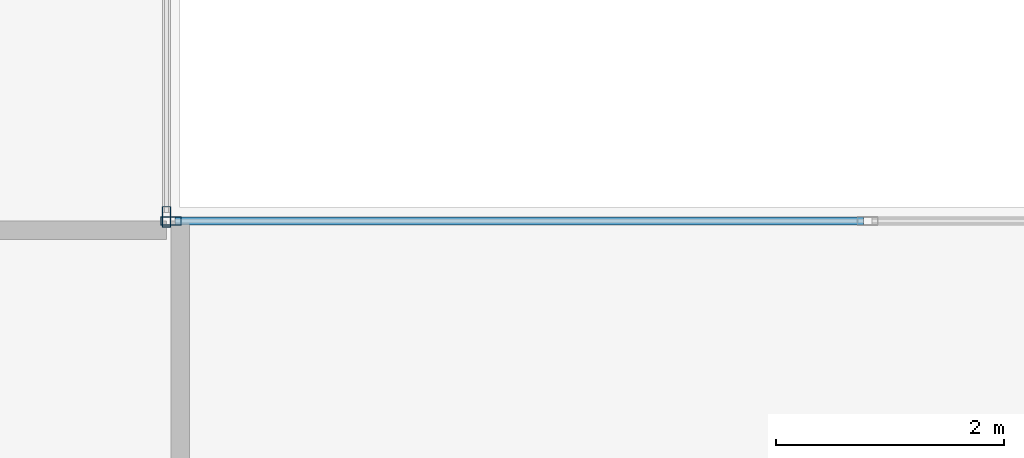
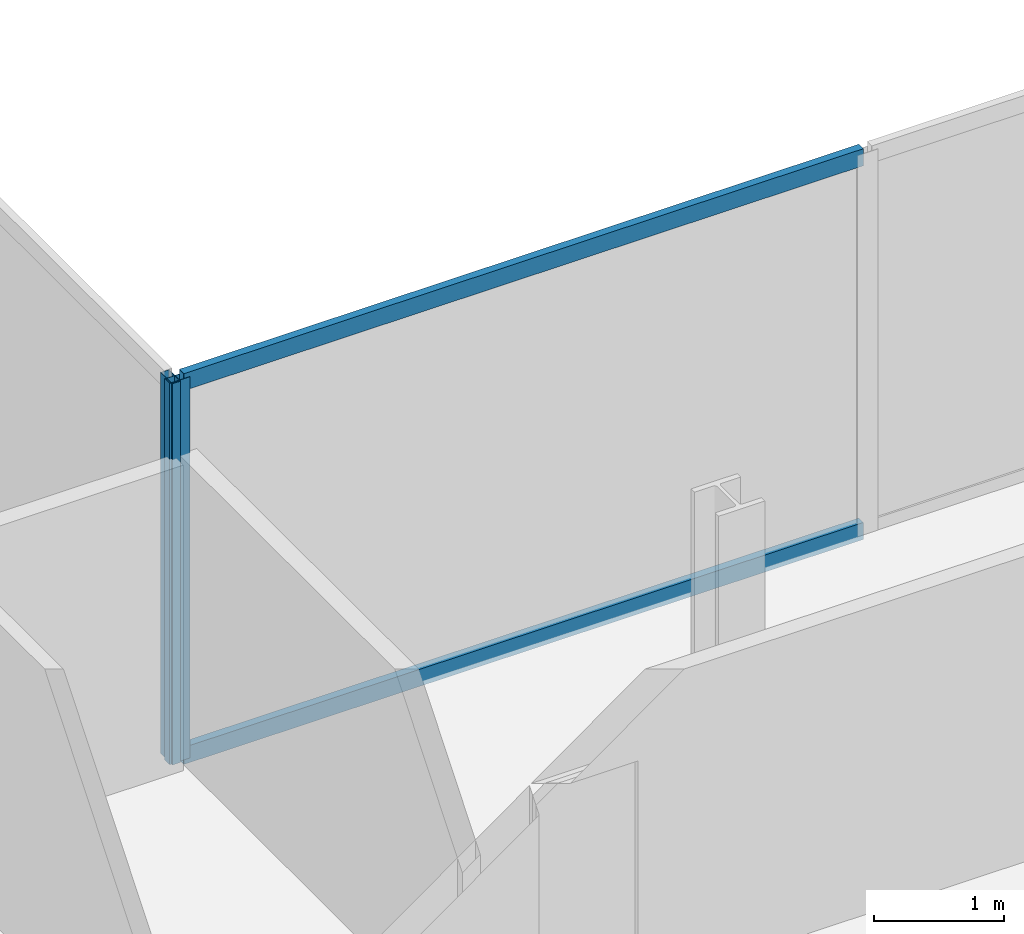
# One storey, part 7 of 24: 4 members, 2 elements without a shape of their own.
"""IFC4 building model written with IfcOpenShell, lengths in metres."""

import ifcopenshell
import ifcopenshell.guid

model = None  # the IFC model being written
_history = None  # IfcOwnerHistory: only IFC2X3 demands one
_inside = {}  # id of a spatial element -> (the spatial element, [elements in it])
_under = {}  # id of a project, library or spatial element -> (it, [spatial elements below it])
_declared = {}  # id of a project -> (the project, [libraries it declares])
_typed = {}  # id of a type object -> (the type object, [elements of that type])
_made_of = {}  # id of a material, layer set ... -> (it, [elements and type objects made of it])


def new_model(schema):
    """Start an empty IFC model of exactly this schema.

    Asked for "IFC4X3", IfcOpenShell would pick the latest addendum, in which some entities
    have other attributes; the version numbers below select the first issue.
    IFC2X3 requires an IfcOwnerHistory on every rooted entity: one is made here for all.
    """
    global model, _history
    if schema == "IFC4X3":
        model = ifcopenshell.file(schema_version=(4, 3, 0, 0))
    else:
        model = ifcopenshell.file(schema=schema)
    _inside.clear()
    _under.clear()
    _declared.clear()
    _typed.clear()
    _made_of.clear()
    _history = None
    if model.schema == "IFC2X3":
        org = make("IfcOrganization", Name="unknown")
        user = make(
            "IfcPersonAndOrganization",
            ThePerson=make("IfcPerson", FamilyName="unknown"),
            TheOrganization=org,
        )
        app = make(
            "IfcApplication",
            ApplicationDeveloper=org,
            Version="unknown",
            ApplicationFullName="unknown",
            ApplicationIdentifier="unknown",
        )
        _history = make(
            "IfcOwnerHistory",
            OwningUser=user,
            OwningApplication=app,
            ChangeAction="ADDED",
            CreationDate=0,
        )
    return model


def make(cls, **values):
    """One entity of the class cls with the attributes given. An attribute that is None is left unset."""
    return model.create_entity(
        cls, **{name: value for name, value in values.items() if value is not None}
    )


def rooted(cls, **values):
    """An entity with a GlobalId (a new one), such as an element, a storey or a relation."""
    return make(cls, GlobalId=ifcopenshell.guid.new(), OwnerHistory=_history, **values)


def si_unit(unit_type, name, prefix=None):
    """IfcSIUnit, for example si_unit("LENGTHUNIT", "METRE", prefix="MILLI")."""
    return make("IfcSIUnit", UnitType=unit_type, Prefix=prefix, Name=name)


def assignment(units):
    """IfcUnitAssignment: the units of a project."""
    return None if units is None else make("IfcUnitAssignment", Units=units)


def point(xyz):
    """IfcCartesianPoint."""
    return None if xyz is None else make("IfcCartesianPoint", Coordinates=xyz)


def direction(xyz):
    """IfcDirection."""
    return None if xyz is None else make("IfcDirection", DirectionRatios=xyz)


def frame(location, z_axis=None, x_axis=None):
    """IfcAxis2Placement3D, a coordinate frame: its origin and axes. An axis left out is left unset."""
    return make(
        "IfcAxis2Placement3D",
        Location=point(location),
        Axis=direction(z_axis),
        RefDirection=direction(x_axis),
    )


def frame_2d(location, x_axis=None):
    """IfcAxis2Placement2D, a coordinate frame in the plane: its origin and x axis."""
    return make(
        "IfcAxis2Placement2D", Location=point(location), RefDirection=direction(x_axis)
    )


def origin():
    """The frame at (0, 0, 0) with its axes left unset."""
    return frame((0.0, 0.0, 0.0))


def origin_2d():
    """The frame at (0, 0) in the plane with its x axis left unset."""
    return frame_2d((0.0, 0.0))


def place(relative_to, where):
    """IfcLocalPlacement: puts the frame where relative to a parent placement (None: the world)."""
    return make(
        "IfcLocalPlacement", PlacementRelTo=relative_to, RelativePlacement=where
    )


def context(
    kind, dimensions, precision=None, world=None, true_north=None, identifier=None
):
    """IfcGeometricRepresentationContext, for example the 3D "Model" context."""
    return make(
        "IfcGeometricRepresentationContext",
        ContextIdentifier=identifier,
        ContextType=kind,
        CoordinateSpaceDimension=dimensions,
        Precision=precision,
        WorldCoordinateSystem=world,
        TrueNorth=true_north,
    )


def subcontext(parent, identifier, kind, view, scale=None):
    """IfcGeometricRepresentationSubContext, for example "Body" below "Model"."""
    return make(
        "IfcGeometricRepresentationSubContext",
        ContextIdentifier=identifier,
        ContextType=kind,
        ParentContext=parent,
        TargetScale=scale,
        TargetView=view,
    )


def project(units=None, contexts=None):
    """IfcProject with its units and contexts."""
    return rooted(
        "IfcProject",
        Name="project",
        RepresentationContexts=contexts,
        UnitsInContext=assignment(units),
    )


def spatial(cls, under=None, at=None, **own):
    """A site, building, storey or space (cls), placed at a placement, below another one or the project."""
    s = rooted(cls, ObjectPlacement=at, **own)
    if under is not None:
        _under.setdefault(under.id(), (under, []))[1].append(s)
    return s


def profile(cls, at=None, kind="AREA", **sizes):
    """A parametric profile (cls). Its sizes go by their IFC names, for example OverallWidth=200.0."""
    return make(cls, ProfileType=kind, Position=at, **sizes)


def hollow_rectangle(**sizes):
    """IfcRectangleHollowProfileDef."""
    return profile("IfcRectangleHollowProfileDef", **sizes)


def extrude(swept, where, along, depth):
    """IfcExtrudedAreaSolid: the profile swept, set in the frame where, extruded along a direction by depth."""
    return make(
        "IfcExtrudedAreaSolid",
        SweptArea=swept,
        Position=where,
        ExtrudedDirection=direction(along),
        Depth=depth,
    )


def shape(context_of_items, identifier, shape_type, items):
    """IfcShapeRepresentation: the items that make up one representation, for example the "Body"."""
    return make(
        "IfcShapeRepresentation",
        ContextOfItems=context_of_items,
        RepresentationIdentifier=identifier,
        RepresentationType=shape_type,
        Items=items,
    )


def material(Name=None, Category=None):
    """IfcMaterial."""
    return make("IfcMaterial", Name=Name, Category=Category)


def material_profile(
    of_material, cross_section, Name=None, Category=None, Priority=None
):
    """IfcMaterialProfile: a cross section and its material."""
    return make(
        "IfcMaterialProfile",
        Name=Name,
        Material=of_material,
        Profile=cross_section,
        Priority=Priority,
        Category=Category,
    )


def profile_set(profiles, Name=None, composite=None):
    """IfcMaterialProfileSet."""
    return make(
        "IfcMaterialProfileSet",
        Name=Name,
        MaterialProfiles=profiles,
        CompositeProfile=composite,
    )


def made_of(thing, what):
    """Note that an element or type object is made of a material, layer set ...; save() writes the relation."""
    if what is not None:
        _made_of.setdefault(what.id(), (what, []))[1].append(thing)
    return thing


def type_object(cls, material=None, **own):
    """A type object (cls), such as IfcWallType, which elements share."""
    return made_of(rooted(cls, **own), material)


def element(
    cls,
    number,
    at=None,
    inside=None,
    cuts=None,
    type_object=None,
    material=None,
    context=None,
    identifier="Body",
    shape_type=None,
    held_by="IfcProductDefinitionShape",
    body=None,
    shapes=None,
    **own,
):
    """One element of the class cls, such as IfcWall. Its Tag is "e" and its number.

    at: its placement. inside: the storey or other place that contains it. cuts: it is an
    opening in that element (IfcRelVoidsElement). A single representation is given by context,
    identifier, shape_type and body (its items); several are given by shapes. held_by: the class
    of the entity that holds the representations. save() writes the other relations.
    """
    e = rooted(cls, Tag="e%d" % number, ObjectPlacement=at, **own)
    if body is not None:
        shapes = [shape(context, identifier, shape_type, body)]
    if shapes is not None:
        e.Representation = make(held_by, Representations=shapes)
    if inside is not None:
        _inside.setdefault(inside.id(), (inside, []))[1].append(e)
    if cuts is not None:
        rooted(
            "IfcRelVoidsElement", RelatingBuildingElement=cuts, RelatedOpeningElement=e
        )
    if type_object is not None:
        _typed.setdefault(type_object.id(), (type_object, []))[1].append(e)
    return made_of(e, material)


def aggregate(whole, parts):
    """IfcRelAggregates: a whole, such as a stair, and the parts it consists of."""
    return rooted("IfcRelAggregates", RelatingObject=whole, RelatedObjects=parts)


def save(model, path):
    """Write the relations noted so far, then the file.

    IfcRelAggregates (storeys below a building ...), IfcRelContainedInSpatialStructure (elements
    in a storey), IfcRelDefinesByType, IfcRelAssociatesMaterial and IfcRelDeclares: one each for
    every whole, place, type object, material and project.
    """
    for whole, parts in _under.values():
        aggregate(whole, parts)
    for where, things in _inside.values():
        rooted(
            "IfcRelContainedInSpatialStructure",
            RelatedElements=things,
            RelatingStructure=where,
        )
    for kind, things in _typed.values():
        rooted("IfcRelDefinesByType", RelatedObjects=things, RelatingType=kind)
    for what, things in _made_of.values():
        rooted("IfcRelAssociatesMaterial", RelatedObjects=things, RelatingMaterial=what)
    for by, libraries in _declared.values():
        rooted("IfcRelDeclares", RelatingContext=by, RelatedDefinitions=libraries)
    model.write(path)


model = new_model("IFC4")

# Units and contexts
model_context = context("Model", 3, precision=1e-05, world=origin(), true_north=direction((0.0, 1.0)))
body_context = subcontext(model_context, "Body", "Model", "MODEL_VIEW")
ifc_project = project(units=[si_unit("LENGTHUNIT", "METRE"), si_unit("AREAUNIT", "SQUARE_METRE"), si_unit("VOLUMEUNIT", "CUBIC_METRE"), si_unit("PLANEANGLEUNIT", "RADIAN"), si_unit("MASSUNIT", "GRAM", prefix="KILO")], contexts=[model_context])

# Site, building, storey
site_placement = place(None, origin())
site = spatial("IfcSite", under=ifc_project, at=site_placement, CompositionType="ELEMENT")
building_placement = place(site_placement, origin())
building = spatial("IfcBuilding", under=site, at=building_placement, Name="Cobrela Telecom Tower", CompositionType="ELEMENT")
storey_placement = place(building_placement, frame((0.0, 0.0, 121.449951171875)))
storey = spatial("IfcBuildingStorey", under=building, at=storey_placement, Name="L30", CompositionType="ELEMENT", Elevation=121.449951171875)

# Curtain wall, member
ifc_material = material(Name="Anodized Bronze Aluminium 6063-T6", Category="aluminium")
curtain_wall_type = type_object("IfcCurtainWallType", Name="CW-SYS-TEL", PredefinedType="USERDEFINED", material=ifc_material)
curtain_wall_1_placement = place(storey_placement, origin())
curtain_wall_1 = element("IfcCurtainWall", 1, at=curtain_wall_1_placement, inside=storey, type_object=curtain_wall_type, Name="L30 Unitised Bronze Curtain Wall 10", ObjectType="UNITISED CURTAIN WALL", PredefinedType="USERDEFINED")
ifc_material_profile_1 = material_profile(ifc_material, hollow_rectangle(XDim=0.074951171875, YDim=0.179931640625, WallThickness=0.00390625, at=origin_2d()), Name="ALU 75x180x4")
ifc_profile_set_1 = profile_set([ifc_material_profile_1], Name="Anodized Bronze Aluminium 6063-T6")
member_type_1 = type_object("IfcMemberType", Name="CW-SYS-TEL-MUL", PredefinedType="MULLION", material=ifc_profile_set_1)
member_1_placement = place(storey_placement, frame((25.8798828125, 25.117431640625, 0.0), z_axis=(0.0, 0.0, 1.0), x_axis=(1.0, 0.0, 0.0)))
member_1 = element("IfcMember", 2, at=member_1_placement, type_object=member_type_1, Name="CW-TEL mullion 3", PredefinedType="MULLION", context=body_context, shape_type="SweptSolid", body=[
    extrude(hollow_rectangle(XDim=0.074951171875, YDim=0.179931640625, WallThickness=0.00390625, at=origin_2d()), origin(), (0.0, 0.0, 1.0), 3.580078125),
])
aggregate(curtain_wall_1, [member_1])

# Curtain wall, members
curtain_wall_2_placement = place(storey_placement, origin())
curtain_wall_2 = element("IfcCurtainWall", 3, at=curtain_wall_2_placement, inside=storey, type_object=curtain_wall_type, Name="L30 Unitised Bronze Curtain Wall 11", ObjectType="UNITISED CURTAIN WALL", PredefinedType="USERDEFINED")
member_2_placement = place(storey_placement, frame((25.91748046875, 25.080078125, 0.0), z_axis=(0.0, 0.0, 1.0), x_axis=(0.0, 1.0, 0.0)))
member_2 = element("IfcMember", 4, at=member_2_placement, type_object=member_type_1, Name="CW-TEL mullion 1", PredefinedType="MULLION", context=body_context, shape_type="SweptSolid", body=[
    extrude(hollow_rectangle(XDim=0.074951171875, YDim=0.179931640625, WallThickness=0.00390625, at=origin_2d()), origin(), (0.0, 0.0, 1.0), 3.580078125),
])
ifc_material_profile_2 = material_profile(ifc_material, hollow_rectangle(XDim=0.070068359375, YDim=0.159912109375, WallThickness=0.00390625, at=origin_2d()), Name="ALU 70x160x4")
ifc_profile_set_2 = profile_set([ifc_material_profile_2], Name="Anodized Bronze Aluminium 6063-T6")
member_type_2 = type_object("IfcMemberType", Name="CW-SYS-TEL-TRN", PredefinedType="USERDEFINED", material=ifc_profile_set_2)
member_3_placement = place(storey_placement, frame((25.955078125, 25.080078125, 0.03515625), z_axis=(1.0, 0.0, 0.0), x_axis=(0.0, 1.0, 0.0)))
member_3 = element("IfcMember", 5, at=member_3_placement, type_object=member_type_2, Name="CW-TEL transom 1.1", ObjectType="TRANSOM", PredefinedType="USERDEFINED", context=body_context, shape_type="SweptSolid", body=[
    extrude(hollow_rectangle(XDim=0.070068359375, YDim=0.159912109375, WallThickness=0.00390625, at=origin_2d()), origin(), (0.0, 0.0, 1.0), 6.037353515625),
])
member_4_placement = place(storey_placement, frame((25.955078125, 25.080078125, 3.545166015625), z_axis=(1.0, 0.0, 0.0), x_axis=(0.0, 1.0, 0.0)))
member_4 = element("IfcMember", 6, at=member_4_placement, type_object=member_type_2, Name="CW-TEL transom 1.2", ObjectType="TRANSOM", PredefinedType="USERDEFINED", context=body_context, shape_type="SweptSolid", body=[
    extrude(hollow_rectangle(XDim=0.070068359375, YDim=0.159912109375, WallThickness=0.00390625, at=origin_2d()), origin(), (0.0, 0.0, 1.0), 6.037353515625),
])
aggregate(curtain_wall_2, [member_2, member_3, member_4])

save(model, "model.ifc")
